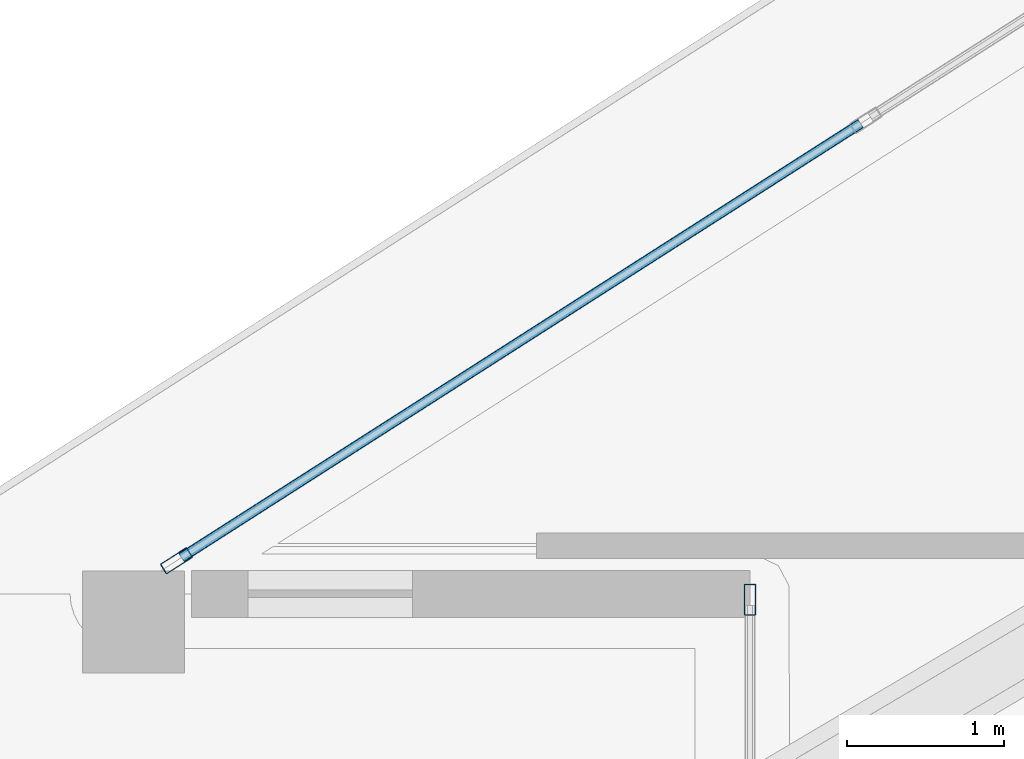
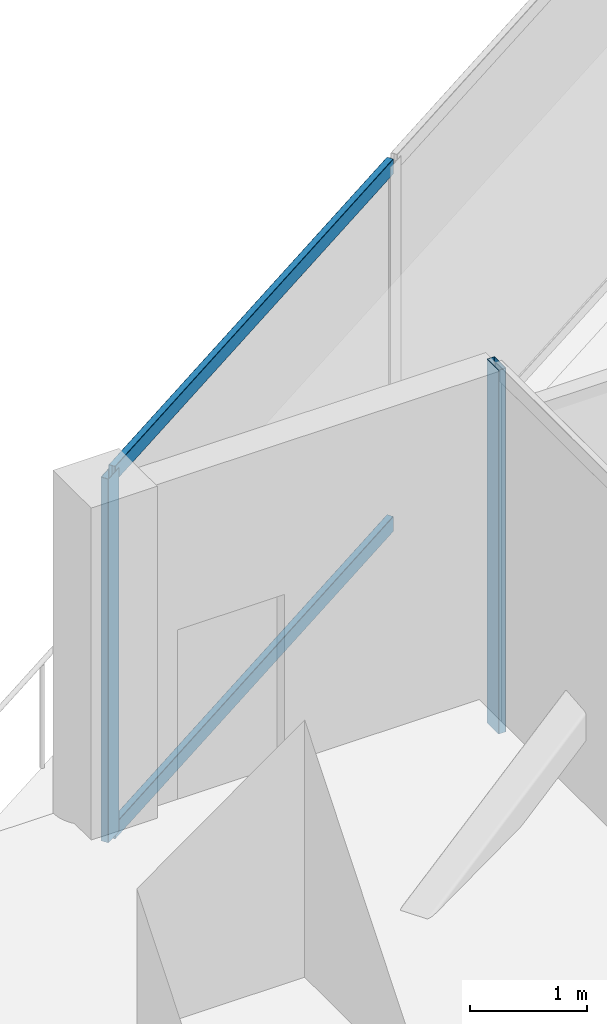
# One storey, part 16 of 40: 4 members, 2 elements without a shape of their own.
"""IFC4 building model written with IfcOpenShell, lengths in metres."""

from ifc_helpers import new_model, si_unit, direction, frame, origin, origin_2d, place, context, subcontext, project, spatial, hollow_rectangle, extrude, material, layer, layer_set, material_profile, profile_set, type_object, element, aggregate, save


model = new_model("IFC4")

# Units and contexts
model_context = context("Model", 3, precision=1e-05, world=origin(), true_north=direction((0.0, 1.0)))
body_context = subcontext(model_context, "Body", "Model", "MODEL_VIEW")
ifc_project = project(units=[si_unit("LENGTHUNIT", "METRE"), si_unit("AREAUNIT", "SQUARE_METRE"), si_unit("VOLUMEUNIT", "CUBIC_METRE"), si_unit("PLANEANGLEUNIT", "RADIAN"), si_unit("MASSUNIT", "GRAM", prefix="KILO")], contexts=[model_context])

# Site, building, storey
site_placement = place(None, origin())
site = spatial("IfcSite", under=ifc_project, at=site_placement, CompositionType="ELEMENT")
building_placement = place(site_placement, origin())
building = spatial("IfcBuilding", under=site, at=building_placement, Name="Qorvath Tower", CompositionType="ELEMENT")
storey_placement = place(building_placement, frame((0.0, 0.0, 225.300048828125)))
storey = spatial("IfcBuildingStorey", under=building, at=storey_placement, Name="L52", CompositionType="ELEMENT", Elevation=225.300048828125)

# Curtain wall, member
ifc_material_1 = material(Name="Anodised aluminium and triple low-E glass", Category="aluminium")
ifc_layer = layer(ifc_material_1, 0.179931640625)
ifc_layer_set = layer_set([ifc_layer], Name="CW-SYS-5")
curtain_wall_type = type_object("IfcCurtainWallType", Name="CW-SYS-5", PredefinedType="NOTDEFINED", material=ifc_layer_set)
curtain_wall_1_placement = place(storey_placement, origin())
curtain_wall_1 = element("IfcCurtainWall", 1, at=curtain_wall_1_placement, inside=storey, type_object=curtain_wall_type, Name="Curtain Wall CW-5 CW-T-L52-2.1", PredefinedType="NOTDEFINED")
ifc_material_2 = material(Name="Anodised aluminium 6063-T6", Category="aluminium")
ifc_material_profile_1 = material_profile(ifc_material_2, hollow_rectangle(XDim=0.074951171875, YDim=0.199951171875, WallThickness=0.00390625, InnerFilletRadius=0.00390625, OuterFilletRadius=0.008056640625, at=origin_2d()), Name="CWM 200x75")
ifc_profile_set_1 = profile_set([ifc_material_profile_1], Name="Anodised aluminium 6063-T6")
member_type_1 = type_object("IfcMemberType", Name="CWM-200", PredefinedType="MULLION", material=ifc_profile_set_1)
member_1_placement = place(storey_placement, frame((-44.64794921875, 6.56689453125, 0.0), z_axis=(0.0, 0.0, 1.0), x_axis=(1.0, 0.0, 0.0)))
member_1 = element("IfcMember", 2, at=member_1_placement, type_object=member_type_1, Name="CW-5 mullion 1", PredefinedType="MULLION", context=body_context, shape_type="SweptSolid", body=[
    extrude(hollow_rectangle(XDim=0.074951171875, YDim=0.199951171875, WallThickness=0.00390625, InnerFilletRadius=0.00390625, OuterFilletRadius=0.008056640625, at=origin_2d()), origin(), (0.0, 0.0, 1.0), 3.780029296875),
])
aggregate(curtain_wall_1, [member_1])

# Curtain wall, members
curtain_wall_2_placement = place(storey_placement, origin())
curtain_wall_2 = element("IfcCurtainWall", 3, at=curtain_wall_2_placement, inside=storey, type_object=curtain_wall_type, Name="Curtain Wall CW-5 CW-T-L52-18.1", PredefinedType="NOTDEFINED")
member_2_placement = place(storey_placement, frame((-48.305419921875, 6.81494140625, 0.0), z_axis=(0.0, 0.0, 1.0), x_axis=(0.538531098636, -0.842605634803, 0.0)))
member_2 = element("IfcMember", 4, at=member_2_placement, type_object=member_type_1, Name="CW-5 mullion 8", PredefinedType="MULLION", context=body_context, shape_type="SweptSolid", body=[
    extrude(hollow_rectangle(XDim=0.074951171875, YDim=0.199951171875, WallThickness=0.00390625, InnerFilletRadius=0.00390625, OuterFilletRadius=0.008056640625, at=origin_2d()), origin(), (0.0, 0.0, 1.0), 3.780029296875),
])
ifc_material_3 = material(Name="Anodised aluminium 6063-T6", Category="aluminium")
ifc_material_profile_2 = material_profile(ifc_material_3, hollow_rectangle(XDim=0.06494140625, YDim=0.159912109375, WallThickness=0.00341796875, InnerFilletRadius=0.00341796875, OuterFilletRadius=0.007080078125, at=origin_2d()), Name="CWT 160x65")
ifc_profile_set_2 = profile_set([ifc_material_profile_2], Name="Anodised aluminium 6063-T6")
member_type_2 = type_object("IfcMemberType", Name="CWT-160", PredefinedType="USERDEFINED", material=ifc_profile_set_2)
member_3_placement = place(storey_placement, frame((-43.94189453125, 9.603515625, 0.032470703125), z_axis=(-0.842627423944, -0.538497005022, 0.0), x_axis=(0.538497005022, -0.842627423944, 0.0)))
member_3 = element("IfcMember", 5, at=member_3_placement, type_object=member_type_2, Name="CW-5 transom 7.1", ObjectType="TRANSOM", PredefinedType="USERDEFINED", context=body_context, shape_type="SweptSolid", body=[
    extrude(hollow_rectangle(XDim=0.06494140625, YDim=0.159912109375, WallThickness=0.00341796875, InnerFilletRadius=0.00341796875, OuterFilletRadius=0.007080078125, at=origin_2d()), origin(), (0.0, 0.0, 1.0), 5.140869140625),
])
member_4_placement = place(storey_placement, frame((-43.94189453125, 9.603515625, 3.74755859375), z_axis=(-0.842627423944, -0.538497005022, 0.0), x_axis=(0.538497005022, -0.842627423944, 0.0)))
member_4 = element("IfcMember", 6, at=member_4_placement, type_object=member_type_2, Name="CW-5 transom 7.2", ObjectType="TRANSOM", PredefinedType="USERDEFINED", context=body_context, shape_type="SweptSolid", body=[
    extrude(hollow_rectangle(XDim=0.06494140625, YDim=0.159912109375, WallThickness=0.00341796875, InnerFilletRadius=0.00341796875, OuterFilletRadius=0.007080078125, at=origin_2d()), origin(), (0.0, 0.0, 1.0), 5.140869140625),
])
aggregate(curtain_wall_2, [member_2, member_3, member_4])

save(model, "model.ifc")
